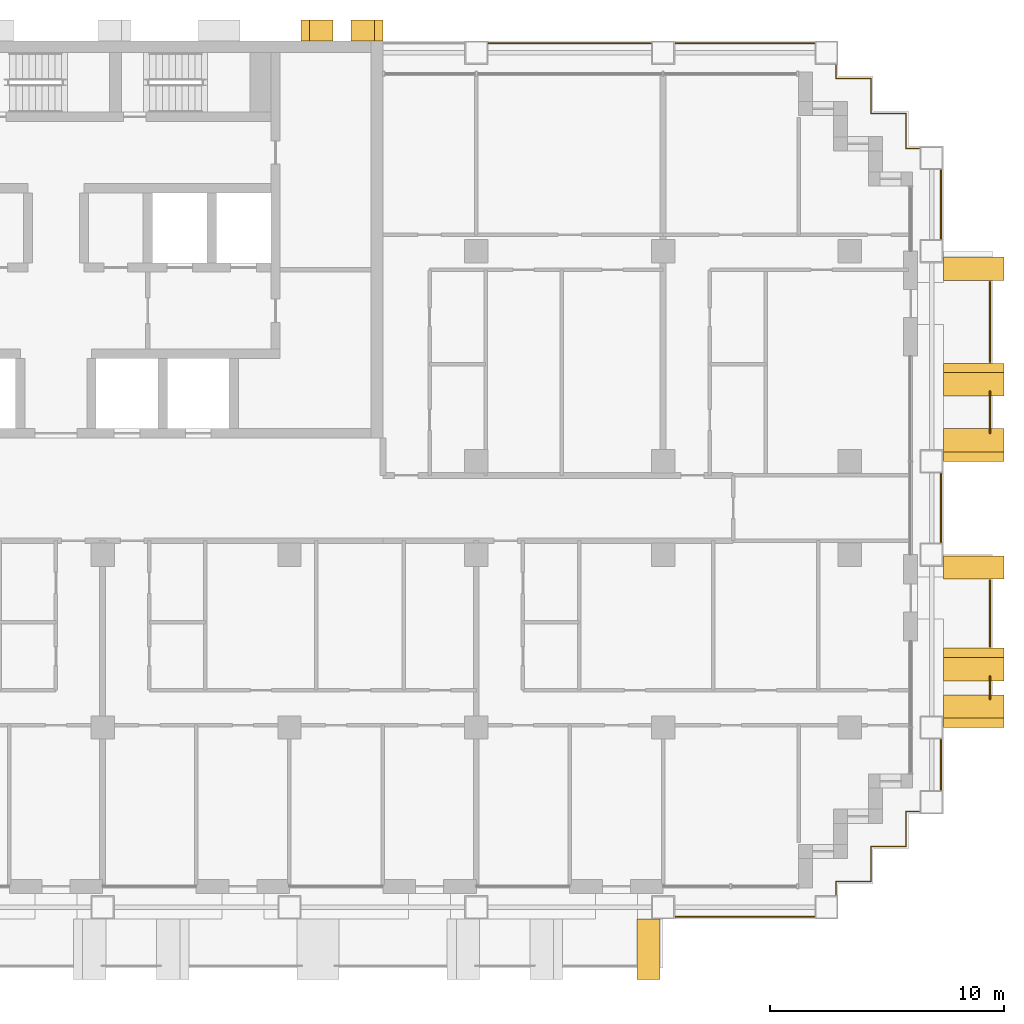
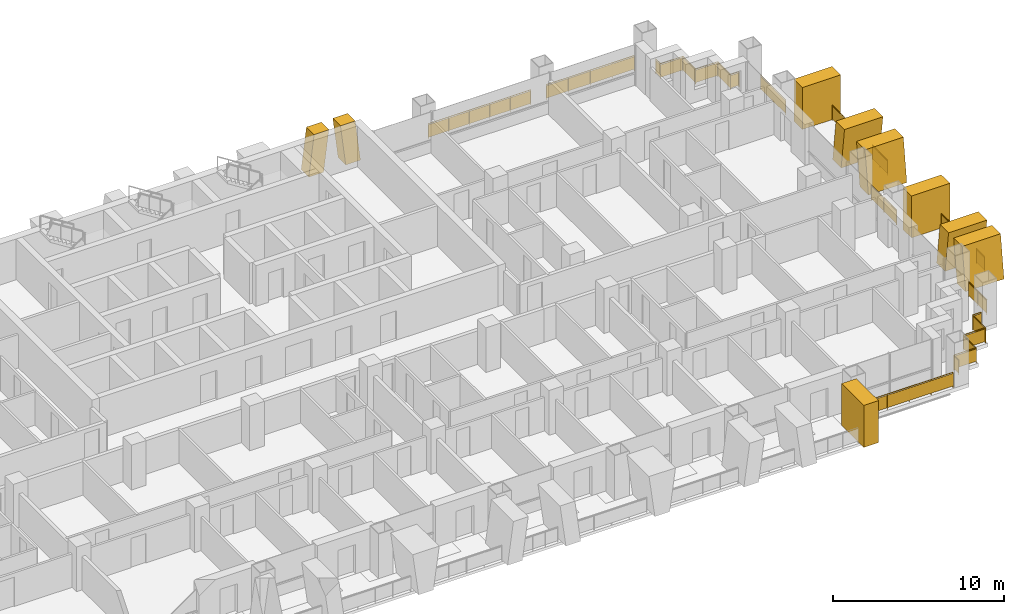
# One storey, part 18 of 18: 12 railings, 9 shading devices.
"""IFC4 building model written with IfcOpenShell, lengths in metres."""

from ifc_helpers import new_model, si_unit, direction, frame, origin, origin_2d, place, context, subcontext, project, spatial, polyline, rectangle, circle, outline, extrude, material, layer, layer_set, type_object, element, save


model = new_model("IFC4")

# Units and contexts
model_context = context("Model", 3, precision=1e-05, world=origin(), true_north=direction((0.0, 1.0)))
body_context = subcontext(model_context, "Body", "Model", "MODEL_VIEW")
ifc_project = project(units=[si_unit("LENGTHUNIT", "METRE"), si_unit("AREAUNIT", "SQUARE_METRE"), si_unit("VOLUMEUNIT", "CUBIC_METRE"), si_unit("PLANEANGLEUNIT", "RADIAN"), si_unit("MASSUNIT", "GRAM", prefix="KILO")], contexts=[model_context])

# Site, building, storey
site_placement = place(None, origin())
site = spatial("IfcSite", under=ifc_project, at=site_placement, CompositionType="ELEMENT")
building_placement = place(site_placement, origin())
building = spatial("IfcBuilding", under=site, at=building_placement, Name="Vidyagriha Tower", CompositionType="ELEMENT")
storey_placement = place(building_placement, frame((0.0, 0.0, 41.60009765625)))
storey = spatial("IfcBuildingStorey", under=building, at=storey_placement, Name="L10", CompositionType="ELEMENT", Elevation=41.60009765625)

# Railings
ifc_material_1 = material(Name="Steel ASTM A500 Grade C black painted", Category="steel")
railing_type_1 = type_object("IfcRailingType", Name="Balcony guard 1100", PredefinedType="BALUSTRADE", material=ifc_material_1)
railing_1_placement = place(storey_placement, frame((40.0, -8.19677734375, 0.0)))
element("IfcRailing", 1, at=railing_1_placement, inside=storey, type_object=railing_type_1, Name="Balcony guard L10 R30.1-1", PredefinedType="BALUSTRADE", context=body_context, shape_type="SweptSolid", body=[
    extrude(circle(Radius=0.02490234375, at=origin_2d()), frame((0.0, 0.0, 1.0751953125), z_axis=(0.0, 1.0, 0.0), x_axis=(-1.0, 0.0, 0.0)), (0.0, 0.0, 1.0), 0.993408203125),
    extrude(circle(Radius=0.02001953125, at=origin_2d()), origin(), (0.0, 0.0, 1.0), 1.050048828125),
    extrude(circle(Radius=0.02001953125, at=origin_2d()), frame((0.0, 0.993408203125, 0.0)), (0.0, 0.0, 1.0), 1.050048828125),
    extrude(rectangle(XDim=0.010009765625, YDim=0.900146484375, at=origin_2d()), frame((0.0, 0.0, 0.550048828125), z_axis=(0.0, 1.0, 0.0), x_axis=(-1.0, 0.0, 0.0)), (0.0, 0.0, 1.0), 0.993408203125),
])
railing_2_placement = place(storey_placement, frame((40.0, -5.949951171875, 0.0)))
element("IfcRailing", 2, at=railing_2_placement, inside=storey, type_object=railing_type_1, Name="Balcony guard L10 R30.1-2", PredefinedType="BALUSTRADE", context=body_context, shape_type="SweptSolid", body=[
    extrude(circle(Radius=0.02490234375, at=origin_2d()), frame((0.0, 0.0, 1.0751953125), z_axis=(0.0, 1.0, 0.0), x_axis=(-1.0, 0.0, 0.0)), (0.0, 0.0, 1.0), 2.849853515625),
    extrude(circle(Radius=0.02001953125, at=origin_2d()), origin(), (0.0, 0.0, 1.0), 1.050048828125),
    extrude(circle(Radius=0.02001953125, at=origin_2d()), frame((0.0, 0.949951171875, 0.0)), (0.0, 0.0, 1.0), 1.050048828125),
    extrude(circle(Radius=0.02001953125, at=origin_2d()), frame((0.0, 1.89990234375, 0.0)), (0.0, 0.0, 1.0), 1.050048828125),
    extrude(circle(Radius=0.02001953125, at=origin_2d()), frame((0.0, 2.849853515625, 0.0)), (0.0, 0.0, 1.0), 1.050048828125),
    extrude(rectangle(XDim=0.010009765625, YDim=0.900146484375, at=origin_2d()), frame((0.0, 0.0, 0.550048828125), z_axis=(0.0, 1.0, 0.0), x_axis=(-1.0, 0.0, 0.0)), (0.0, 0.0, 1.0), 2.849853515625),
])
railing_3_placement = place(storey_placement, frame((40.0, 3.203369140625, 0.0)))
element("IfcRailing", 3, at=railing_3_placement, inside=storey, type_object=railing_type_1, Name="Balcony guard L10 R30.2-1", PredefinedType="BALUSTRADE", context=body_context, shape_type="SweptSolid", body=[
    extrude(circle(Radius=0.02490234375, at=origin_2d()), frame((0.0, 0.0, 1.0751953125), z_axis=(0.0, 1.0, 0.0), x_axis=(-1.0, 0.0, 0.0)), (0.0, 0.0, 1.0), 1.793212890625),
    extrude(circle(Radius=0.02001953125, at=origin_2d()), origin(), (0.0, 0.0, 1.0), 1.050048828125),
    extrude(circle(Radius=0.02001953125, at=origin_2d()), frame((0.0, 0.896484375, 0.0)), (0.0, 0.0, 1.0), 1.050048828125),
    extrude(circle(Radius=0.02001953125, at=origin_2d()), frame((0.0, 1.793212890625, 0.0)), (0.0, 0.0, 1.0), 1.050048828125),
    extrude(rectangle(XDim=0.010009765625, YDim=0.900146484375, at=origin_2d()), frame((0.0, 0.0, 0.550048828125), z_axis=(0.0, 1.0, 0.0), x_axis=(-1.0, 0.0, 0.0)), (0.0, 0.0, 1.0), 1.793212890625),
])
railing_4_placement = place(storey_placement, frame((40.0, 6.25, 0.0)))
element("IfcRailing", 4, at=railing_4_placement, inside=storey, type_object=railing_type_1, Name="Balcony guard L10 R30.2-2", PredefinedType="BALUSTRADE", context=body_context, shape_type="SweptSolid", body=[
    extrude(circle(Radius=0.02490234375, at=origin_2d()), frame((0.0, 0.0, 1.0751953125), z_axis=(0.0, 1.0, 0.0), x_axis=(-1.0, 0.0, 0.0)), (0.0, 0.0, 1.0), 3.449951171875),
    extrude(circle(Radius=0.02001953125, at=origin_2d()), origin(), (0.0, 0.0, 1.0), 1.050048828125),
    extrude(circle(Radius=0.02001953125, at=origin_2d()), frame((0.0, 1.14990234375, 0.0)), (0.0, 0.0, 1.0), 1.050048828125),
    extrude(circle(Radius=0.02001953125, at=origin_2d()), frame((0.0, 2.300048828125, 0.0)), (0.0, 0.0, 1.0), 1.050048828125),
    extrude(circle(Radius=0.02001953125, at=origin_2d()), frame((0.0, 3.449951171875, 0.0)), (0.0, 0.0, 1.0), 1.050048828125),
    extrude(rectangle(XDim=0.010009765625, YDim=0.900146484375, at=origin_2d()), frame((0.0, 0.0, 0.550048828125), z_axis=(0.0, 1.0, 0.0), x_axis=(-1.0, 0.0, 0.0)), (0.0, 0.0, 1.0), 3.449951171875),
])

# Shading devices
ifc_material_2 = material(Name="Precast concrete C40/50 with buff brick facing", Category="concrete")
ifc_layer_1 = layer(ifc_material_2, 1.0)
ifc_layer_set_1 = layer_set([ifc_layer_1], Name="Precast concrete C40/50 with buff brick facing")
shading_device_type_1 = type_object("IfcShadingDeviceType", Name="Brick-faced blade fin arm leaning 8 degrees", PredefinedType="USERDEFINED", material=ifc_layer_set_1)
shading_device_1_placement = place(storey_placement, frame((39.300048828125, -9.39990234375, 0.0), z_axis=(0.0, 0.0, 1.0), x_axis=(0.0, 1.0, 0.0)))
element("IfcShadingDevice", 5, at=shading_device_1_placement, inside=storey, type_object=shading_device_type_1, Name="Leaning blade fin L10 R30.200a", ObjectType="BLADE FIN", PredefinedType="USERDEFINED", context=body_context, shape_type="SweptSolid", body=[
    extrude(outline(polyline([(0.0, 0.0), (1.0, 0.0), (1.39990234375, 3.0), (0.39990234375, 3.0), (0.0, 0.0)])), frame((0.0, 1.300048828125, 0.0), z_axis=(0.0, -1.0, 0.0), x_axis=(1.0, 0.0, 0.0)), (0.0, 0.0, 1.0), 2.60009765625),
])
shading_device_2_placement = place(storey_placement, frame((39.300048828125, -7.39990234375, 0.0), z_axis=(0.0, 0.0, 1.0), x_axis=(0.0, 1.0, 0.0)))
element("IfcShadingDevice", 6, at=shading_device_2_placement, inside=storey, type_object=shading_device_type_1, Name="Leaning blade fin L10 R30.200b", ObjectType="BLADE FIN", PredefinedType="USERDEFINED", context=body_context, shape_type="SweptSolid", body=[
    extrude(outline(polyline([(0.39990234375, 0.0), (1.39990234375, 0.0), (1.0, 3.0), (0.0, 3.0), (0.39990234375, 0.0)])), frame((0.0, 1.300048828125, 0.0), z_axis=(0.0, -1.0, 0.0), x_axis=(1.0, 0.0, 0.0)), (0.0, 0.0, 1.0), 2.60009765625),
])
shading_device_3_placement = place(storey_placement, frame((39.300048828125, 2.0, 0.0), z_axis=(0.0, 0.0, 1.0), x_axis=(0.0, 1.0, 0.0)))
element("IfcShadingDevice", 7, at=shading_device_3_placement, inside=storey, type_object=shading_device_type_1, Name="Leaning blade fin L10 R30.1340a", ObjectType="BLADE FIN", PredefinedType="USERDEFINED", context=body_context, shape_type="SweptSolid", body=[
    extrude(outline(polyline([(0.0, 0.0), (1.0, 0.0), (1.39990234375, 3.0), (0.39990234375, 3.0), (0.0, 0.0)])), frame((0.0, 1.300048828125, 0.0), z_axis=(0.0, -1.0, 0.0), x_axis=(1.0, 0.0, 0.0)), (0.0, 0.0, 1.0), 2.60009765625),
])
shading_device_4_placement = place(storey_placement, frame((39.300048828125, 4.800048828125, 0.0), z_axis=(0.0, 0.0, 1.0), x_axis=(0.0, 1.0, 0.0)))
element("IfcShadingDevice", 8, at=shading_device_4_placement, inside=storey, type_object=shading_device_type_1, Name="Leaning blade fin L10 R30.1340b", ObjectType="BLADE FIN", PredefinedType="USERDEFINED", context=body_context, shape_type="SweptSolid", body=[
    extrude(outline(polyline([(0.39990234375, 0.0), (1.39990234375, 0.0), (1.0, 3.0), (0.0, 3.0), (0.39990234375, 0.0)])), frame((0.0, 1.300048828125, 0.0), z_axis=(0.0, -1.0, 0.0), x_axis=(1.0, 0.0, 0.0)), (0.0, 0.0, 1.0), 2.60009765625),
])
ifc_material_3 = material(Name="Precast concrete C40/50 with buff brick facing", Category="concrete")
ifc_layer_2 = layer(ifc_material_3, 1.0)
ifc_layer_set_2 = layer_set([ifc_layer_2], Name="Precast concrete C40/50 with buff brick facing")
shading_device_type_2 = type_object("IfcShadingDeviceType", Name="Brick-faced blade fin stem 1000", PredefinedType="USERDEFINED", material=ifc_layer_set_2)
shading_device_5_placement = place(storey_placement, frame((24.875, -18.89990234375, 0.0)))
element("IfcShadingDevice", 9, at=shading_device_5_placement, inside=storey, type_object=shading_device_type_2, Name="Stem blade fin L10 R23.5780a", ObjectType="BLADE FIN", PredefinedType="USERDEFINED", context=body_context, shape_type="SweptSolid", body=[
    extrude(outline(polyline([(0.0, 0.0), (1.0, 0.0), (1.0, 3.0), (0.0, 3.0), (0.0, 0.0)])), frame((0.0, 1.300048828125, 0.0), z_axis=(0.0, -1.0, 0.0), x_axis=(1.0, 0.0, 0.0)), (0.0, 0.0, 1.0), 2.60009765625),
])
for number, where, z_axis, x_axis, name in (
    (10, (39.300048828125, -3.050048828125, 0.0), (0.0, 0.0, 1.0), (0.0, 1.0, 0.0), "Stem blade fin L10 R30.940a"),
    (11, (39.300048828125, 9.75, 0.0), (0.0, 0.0, 1.0), (0.0, 1.0, 0.0), "Stem blade fin L10 R30.2240a"),
):
    element("IfcShadingDevice", number, at=place(storey_placement, frame(where, z_axis=z_axis, x_axis=x_axis)), inside=storey, type_object=shading_device_type_2, Name=name, ObjectType="BLADE FIN", PredefinedType="USERDEFINED", context=body_context, shape_type="SweptSolid", body=[
        extrude(outline(polyline([(0.0, 0.0), (1.0, 0.0), (1.0, 3.0), (0.0, 3.0), (0.0, 0.0)])), frame((0.0, 1.300048828125, 0.0), z_axis=(0.0, -1.0, 0.0), x_axis=(1.0, 0.0, 0.0)), (0.0, 0.0, 1.0), 2.60009765625),
    ])
ifc_material_4 = material(Name="Precast concrete C40/50 with brick facing", Category="concrete")
ifc_layer_3 = layer(ifc_material_4, 1.0)
ifc_layer_set_3 = layer_set([ifc_layer_3], Name="Precast concrete C40/50 with brick facing")
shading_device_type_3 = type_object("IfcShadingDeviceType", Name="Brick-faced rear rib arm leaning 8 degrees", PredefinedType="USERDEFINED", material=ifc_layer_set_3)
shading_device_6_placement = place(storey_placement, frame((14.0, 20.449951171875, 0.0), z_axis=(0.0, 0.0, 1.0), x_axis=(-1.0, 0.0, 0.0)))
element("IfcShadingDevice", 12, at=shading_device_6_placement, inside=storey, type_object=shading_device_type_3, Name="Rear rib arm L10 R08.1a", ObjectType="BLADE FIN", PredefinedType="USERDEFINED", context=body_context, shape_type="SweptSolid", body=[
    extrude(outline(polyline([(0.0, 0.0), (1.0, 0.0), (1.357177734375, 2.919921875), (0.357177734375, 2.919921875), (0.0, 0.0)])), frame((0.0, 0.449951171875, 0.0), z_axis=(0.0, -1.0, 0.0), x_axis=(1.0, 0.0, 0.0)), (0.0, 0.0, 1.0), 0.89990234375),
])
shading_device_7_placement = place(storey_placement, frame((11.857177734375, 20.449951171875, 0.0), z_axis=(0.0, 0.0, 1.0), x_axis=(-1.0, 0.0, 0.0)))
element("IfcShadingDevice", 13, at=shading_device_7_placement, inside=storey, type_object=shading_device_type_3, Name="Rear rib arm L10 R08.1b", ObjectType="BLADE FIN", PredefinedType="USERDEFINED", context=body_context, shape_type="SweptSolid", body=[
    extrude(outline(polyline([(0.357177734375, 0.0), (1.357177734375, 0.0), (1.0, 2.919921875), (0.0, 2.919921875), (0.357177734375, 0.0)])), frame((0.0, 0.449951171875, 0.0), z_axis=(0.0, -1.0, 0.0), x_axis=(1.0, 0.0, 0.0)), (0.0, 0.0, 1.0), 0.89990234375),
])

# Railings
ifc_material_5 = material(Name="Steel ASTM A500 Grade C black painted", Category="steel")
railing_type_2 = type_object("IfcRailingType", Name="Gallery guard 1100", PredefinedType="GUARDRAIL", material=ifc_material_5)
railing_5_placement = place(storey_placement, frame((18.530029296875, 19.89990234375, 0.0)))
element("IfcRailing", 14, at=railing_5_placement, inside=storey, type_object=railing_type_2, Name="Gallery guard L10 11", PredefinedType="GUARDRAIL", context=body_context, shape_type="SweptSolid", body=[
    extrude(circle(Radius=0.02490234375, at=origin_2d()), frame((0.0, 0.0, 1.0751953125), z_axis=(1.0, 0.0, 0.0), x_axis=(0.0, 1.0, 0.0)), (0.0, 0.0, 1.0), 6.93994140625),
    extrude(circle(Radius=0.02001953125, at=origin_2d()), origin(), (0.0, 0.0, 1.0), 1.050048828125),
    extrude(circle(Radius=0.02001953125, at=origin_2d()), frame((1.387939453125, 0.0, 0.0)), (0.0, 0.0, 1.0), 1.050048828125),
    extrude(circle(Radius=0.02001953125, at=origin_2d()), frame((2.77587890625, 0.0, 0.0)), (0.0, 0.0, 1.0), 1.050048828125),
    extrude(circle(Radius=0.02001953125, at=origin_2d()), frame((4.1640625, 0.0, 0.0)), (0.0, 0.0, 1.0), 1.050048828125),
    extrude(circle(Radius=0.02001953125, at=origin_2d()), frame((5.552001953125, 0.0, 0.0)), (0.0, 0.0, 1.0), 1.050048828125),
    extrude(circle(Radius=0.02001953125, at=origin_2d()), frame((6.93994140625, 0.0, 0.0)), (0.0, 0.0, 1.0), 1.050048828125),
    extrude(rectangle(XDim=0.010009765625, YDim=0.900146484375, at=origin_2d()), frame((0.0, 0.0, 0.550048828125), z_axis=(1.0, 0.0, 0.0), x_axis=(0.0, 1.0, 0.0)), (0.0, 0.0, 1.0), 6.93994140625),
])
railing_6_placement = place(storey_placement, frame((32.469970703125, -17.5, 0.0)))
element("IfcRailing", 15, at=railing_6_placement, inside=storey, type_object=railing_type_2, Name="Gallery guard L10 12", PredefinedType="GUARDRAIL", context=body_context, shape_type="SweptSolid", body=[
    extrude(circle(Radius=0.02490234375, at=origin_2d()), frame((0.0, 0.0, 1.0751953125), z_axis=(-1.0, 0.0, 0.0), x_axis=(0.0, -1.0, 0.0)), (0.0, 0.0, 1.0), 5.93994140625),
    extrude(circle(Radius=0.02001953125, at=origin_2d()), origin(), (0.0, 0.0, 1.0), 1.050048828125),
    extrude(circle(Radius=0.02001953125, at=origin_2d()), frame((-1.48486328125, 0.0, 0.0)), (0.0, 0.0, 1.0), 1.050048828125),
    extrude(circle(Radius=0.02001953125, at=origin_2d()), frame((-2.969970703125, 0.0, 0.0)), (0.0, 0.0, 1.0), 1.050048828125),
    extrude(circle(Radius=0.02001953125, at=origin_2d()), frame((-4.455078125, 0.0, 0.0)), (0.0, 0.0, 1.0), 1.050048828125),
    extrude(circle(Radius=0.02001953125, at=origin_2d()), frame((-5.93994140625, 0.0, 0.0)), (0.0, 0.0, 1.0), 1.050048828125),
    extrude(rectangle(XDim=0.010009765625, YDim=0.900146484375, at=origin_2d()), frame((0.0, 0.0, 0.550048828125), z_axis=(-1.0, 0.0, 0.0), x_axis=(0.0, -1.0, 0.0)), (0.0, 0.0, 1.0), 5.93994140625),
])
railing_7_placement = place(storey_placement, frame((26.530029296875, 19.89990234375, 0.0)))
element("IfcRailing", 16, at=railing_7_placement, inside=storey, type_object=railing_type_2, Name="Gallery guard L10 13", PredefinedType="GUARDRAIL", context=body_context, shape_type="SweptSolid", body=[
    extrude(circle(Radius=0.02490234375, at=origin_2d()), frame((0.0, 0.0, 1.0751953125), z_axis=(1.0, 0.0, 0.0), x_axis=(0.0, 1.0, 0.0)), (0.0, 0.0, 1.0), 5.93994140625),
    extrude(circle(Radius=0.02001953125, at=origin_2d()), origin(), (0.0, 0.0, 1.0), 1.050048828125),
    extrude(circle(Radius=0.02001953125, at=origin_2d()), frame((1.48486328125, 0.0, 0.0)), (0.0, 0.0, 1.0), 1.050048828125),
    extrude(circle(Radius=0.02001953125, at=origin_2d()), frame((2.969970703125, 0.0, 0.0)), (0.0, 0.0, 1.0), 1.050048828125),
    extrude(circle(Radius=0.02001953125, at=origin_2d()), frame((4.455078125, 0.0, 0.0)), (0.0, 0.0, 1.0), 1.050048828125),
    extrude(circle(Radius=0.02001953125, at=origin_2d()), frame((5.93994140625, 0.0, 0.0)), (0.0, 0.0, 1.0), 1.050048828125),
    extrude(rectangle(XDim=0.010009765625, YDim=0.900146484375, at=origin_2d()), frame((0.0, 0.0, 0.550048828125), z_axis=(1.0, 0.0, 0.0), x_axis=(0.0, 1.0, 0.0)), (0.0, 0.0, 1.0), 5.93994140625),
])
railing_8_placement = place(storey_placement, frame((36.969970703125, -13.0, 0.0)))
element("IfcRailing", 17, at=railing_8_placement, inside=storey, type_object=railing_type_2, Name="Gallery guard L10 14", PredefinedType="GUARDRAIL", context=body_context, shape_type="SweptSolid", body=[
    extrude(circle(Radius=0.02490234375, at=origin_2d()), frame((0.0, 0.0, 1.0751953125), z_axis=(-1.0, 0.0, 0.0), x_axis=(0.0, -1.0, 0.0)), (0.0, 0.0, 1.0), 0.570068359375),
    extrude(circle(Radius=0.02490234375, at=origin_2d()), frame((-0.570068359375, 0.0, 1.0751953125), z_axis=(0.0, -1.0, 0.0), x_axis=(1.0, 0.0, 0.0)), (0.0, 0.0, 1.0), 1.5),
    extrude(circle(Radius=0.02490234375, at=origin_2d()), frame((-0.570068359375, -1.5, 1.0751953125), z_axis=(-1.0, 0.0, 0.0), x_axis=(0.0, -1.0, 0.0)), (0.0, 0.0, 1.0), 1.5),
    extrude(circle(Radius=0.02490234375, at=origin_2d()), frame((-2.070068359375, -1.5, 1.0751953125), z_axis=(0.0, -1.0, 0.0), x_axis=(1.0, 0.0, 0.0)), (0.0, 0.0, 1.0), 1.5),
    extrude(circle(Radius=0.02490234375, at=origin_2d()), frame((-2.070068359375, -3.0, 1.0751953125), z_axis=(-1.0, 0.0, 0.0), x_axis=(0.0, -1.0, 0.0)), (0.0, 0.0, 1.0), 1.5),
    extrude(circle(Radius=0.02490234375, at=origin_2d()), frame((-3.570068359375, -3.0, 1.0751953125), z_axis=(0.0, -1.0, 0.0), x_axis=(1.0, 0.0, 0.0)), (0.0, 0.0, 1.0), 0.570068359375),
    extrude(circle(Radius=0.02001953125, at=origin_2d()), origin(), (0.0, 0.0, 1.0), 1.050048828125),
    extrude(circle(Radius=0.02001953125, at=origin_2d()), frame((-0.570068359375, 0.0, 0.0)), (0.0, 0.0, 1.0), 1.050048828125),
    extrude(circle(Radius=0.02001953125, at=origin_2d()), frame((-0.570068359375, -1.5, 0.0)), (0.0, 0.0, 1.0), 1.050048828125),
    extrude(circle(Radius=0.02001953125, at=origin_2d()), frame((-2.070068359375, -1.5, 0.0)), (0.0, 0.0, 1.0), 1.050048828125),
    extrude(circle(Radius=0.02001953125, at=origin_2d()), frame((-2.070068359375, -3.0, 0.0)), (0.0, 0.0, 1.0), 1.050048828125),
    extrude(circle(Radius=0.02001953125, at=origin_2d()), frame((-3.570068359375, -3.0, 0.0)), (0.0, 0.0, 1.0), 1.050048828125),
    extrude(circle(Radius=0.02001953125, at=origin_2d()), frame((-3.570068359375, -3.570068359375, 0.0)), (0.0, 0.0, 1.0), 1.050048828125),
    extrude(rectangle(XDim=0.010009765625, YDim=0.900146484375, at=origin_2d()), frame((0.0, 0.0, 0.550048828125), z_axis=(-1.0, 0.0, 0.0), x_axis=(0.0, -1.0, 0.0)), (0.0, 0.0, 1.0), 0.570068359375),
    extrude(rectangle(XDim=0.010009765625, YDim=0.900146484375, at=origin_2d()), frame((-0.570068359375, 0.0, 0.550048828125), z_axis=(0.0, -1.0, 0.0), x_axis=(1.0, 0.0, 0.0)), (0.0, 0.0, 1.0), 1.5),
    extrude(rectangle(XDim=0.010009765625, YDim=0.900146484375, at=origin_2d()), frame((-0.570068359375, -1.5, 0.550048828125), z_axis=(-1.0, 0.0, 0.0), x_axis=(0.0, -1.0, 0.0)), (0.0, 0.0, 1.0), 1.5),
    extrude(rectangle(XDim=0.010009765625, YDim=0.900146484375, at=origin_2d()), frame((-2.070068359375, -1.5, 0.550048828125), z_axis=(0.0, -1.0, 0.0), x_axis=(1.0, 0.0, 0.0)), (0.0, 0.0, 1.0), 1.5),
    extrude(rectangle(XDim=0.010009765625, YDim=0.900146484375, at=origin_2d()), frame((-2.070068359375, -3.0, 0.550048828125), z_axis=(-1.0, 0.0, 0.0), x_axis=(0.0, -1.0, 0.0)), (0.0, 0.0, 1.0), 1.5),
    extrude(rectangle(XDim=0.010009765625, YDim=0.900146484375, at=origin_2d()), frame((-3.570068359375, -3.0, 0.550048828125), z_axis=(0.0, -1.0, 0.0), x_axis=(1.0, 0.0, 0.0)), (0.0, 0.0, 1.0), 0.570068359375),
])
railing_9_placement = place(storey_placement, frame((33.39990234375, 18.969970703125, 0.0)))
element("IfcRailing", 18, at=railing_9_placement, inside=storey, type_object=railing_type_2, Name="Gallery guard L10 15", PredefinedType="GUARDRAIL", context=body_context, shape_type="SweptSolid", body=[
    extrude(circle(Radius=0.02490234375, at=origin_2d()), frame((0.0, 0.0, 1.0751953125), z_axis=(0.0, -1.0, 0.0), x_axis=(1.0, 0.0, 0.0)), (0.0, 0.0, 1.0), 0.570068359375),
    extrude(circle(Radius=0.02490234375, at=origin_2d()), frame((0.0, -0.570068359375, 1.0751953125), z_axis=(1.0, 0.0, 0.0), x_axis=(0.0, 1.0, 0.0)), (0.0, 0.0, 1.0), 1.5),
    extrude(circle(Radius=0.02490234375, at=origin_2d()), frame((1.5, -0.570068359375, 1.0751953125), z_axis=(0.0, -1.0, 0.0), x_axis=(1.0, 0.0, 0.0)), (0.0, 0.0, 1.0), 1.5),
    extrude(circle(Radius=0.02490234375, at=origin_2d()), frame((1.5, -2.070068359375, 1.0751953125), z_axis=(1.0, 0.0, 0.0), x_axis=(0.0, 1.0, 0.0)), (0.0, 0.0, 1.0), 1.5),
    extrude(circle(Radius=0.02490234375, at=origin_2d()), frame((3.0, -2.070068359375, 1.0751953125), z_axis=(0.0, -1.0, 0.0), x_axis=(1.0, 0.0, 0.0)), (0.0, 0.0, 1.0), 1.5),
    extrude(circle(Radius=0.02490234375, at=origin_2d()), frame((3.0, -3.570068359375, 1.0751953125), z_axis=(1.0, 0.0, 0.0), x_axis=(0.0, 1.0, 0.0)), (0.0, 0.0, 1.0), 0.570068359375),
    extrude(circle(Radius=0.02001953125, at=origin_2d()), origin(), (0.0, 0.0, 1.0), 1.050048828125),
    extrude(circle(Radius=0.02001953125, at=origin_2d()), frame((0.0, -0.570068359375, 0.0)), (0.0, 0.0, 1.0), 1.050048828125),
    extrude(circle(Radius=0.02001953125, at=origin_2d()), frame((1.5, -0.570068359375, 0.0)), (0.0, 0.0, 1.0), 1.050048828125),
    extrude(circle(Radius=0.02001953125, at=origin_2d()), frame((1.5, -2.070068359375, 0.0)), (0.0, 0.0, 1.0), 1.050048828125),
    extrude(circle(Radius=0.02001953125, at=origin_2d()), frame((3.0, -2.070068359375, 0.0)), (0.0, 0.0, 1.0), 1.050048828125),
    extrude(circle(Radius=0.02001953125, at=origin_2d()), frame((3.0, -3.570068359375, 0.0)), (0.0, 0.0, 1.0), 1.050048828125),
    extrude(circle(Radius=0.02001953125, at=origin_2d()), frame((3.570068359375, -3.570068359375, 0.0)), (0.0, 0.0, 1.0), 1.050048828125),
    extrude(rectangle(XDim=0.010009765625, YDim=0.900146484375, at=origin_2d()), frame((0.0, 0.0, 0.550048828125), z_axis=(0.0, -1.0, 0.0), x_axis=(1.0, 0.0, 0.0)), (0.0, 0.0, 1.0), 0.570068359375),
    extrude(rectangle(XDim=0.010009765625, YDim=0.900146484375, at=origin_2d()), frame((0.0, -0.570068359375, 0.550048828125), z_axis=(1.0, 0.0, 0.0), x_axis=(0.0, 1.0, 0.0)), (0.0, 0.0, 1.0), 1.5),
    extrude(rectangle(XDim=0.010009765625, YDim=0.900146484375, at=origin_2d()), frame((1.5, -0.570068359375, 0.550048828125), z_axis=(0.0, -1.0, 0.0), x_axis=(1.0, 0.0, 0.0)), (0.0, 0.0, 1.0), 1.5),
    extrude(rectangle(XDim=0.010009765625, YDim=0.900146484375, at=origin_2d()), frame((1.5, -2.070068359375, 0.550048828125), z_axis=(1.0, 0.0, 0.0), x_axis=(0.0, 1.0, 0.0)), (0.0, 0.0, 1.0), 1.5),
    extrude(rectangle(XDim=0.010009765625, YDim=0.900146484375, at=origin_2d()), frame((3.0, -2.070068359375, 0.550048828125), z_axis=(0.0, -1.0, 0.0), x_axis=(1.0, 0.0, 0.0)), (0.0, 0.0, 1.0), 1.5),
    extrude(rectangle(XDim=0.010009765625, YDim=0.900146484375, at=origin_2d()), frame((3.0, -3.570068359375, 0.550048828125), z_axis=(1.0, 0.0, 0.0), x_axis=(0.0, 1.0, 0.0)), (0.0, 0.0, 1.0), 0.570068359375),
])
railing_10_placement = place(storey_placement, frame((37.89990234375, -9.929931640625, 0.0)))
element("IfcRailing", 19, at=railing_10_placement, inside=storey, type_object=railing_type_2, Name="Gallery guard L10 16", PredefinedType="GUARDRAIL", context=body_context, shape_type="SweptSolid", body=[
    extrude(circle(Radius=0.02490234375, at=origin_2d()), frame((0.0, 0.0, 1.0751953125), z_axis=(0.0, -1.0, 0.0), x_axis=(1.0, 0.0, 0.0)), (0.0, 0.0, 1.0), 2.14013671875),
    extrude(circle(Radius=0.02001953125, at=origin_2d()), origin(), (0.0, 0.0, 1.0), 1.050048828125),
    extrude(circle(Radius=0.02001953125, at=origin_2d()), frame((0.0, -1.070068359375, 0.0)), (0.0, 0.0, 1.0), 1.050048828125),
    extrude(circle(Radius=0.02001953125, at=origin_2d()), frame((0.0, -2.14013671875, 0.0)), (0.0, 0.0, 1.0), 1.050048828125),
    extrude(rectangle(XDim=0.010009765625, YDim=0.900146484375, at=origin_2d()), frame((0.0, 0.0, 0.550048828125), z_axis=(0.0, -1.0, 0.0), x_axis=(1.0, 0.0, 0.0)), (0.0, 0.0, 1.0), 2.14013671875),
])
for number, where, name in (
    (20, (37.89990234375, 1.469970703125, 0.0), "Gallery guard L10 17"),
    (21, (37.89990234375, 14.469970703125, 0.0), "Gallery guard L10 18"),
):
    element("IfcRailing", number, at=place(storey_placement, frame(where)), inside=storey, type_object=railing_type_2, Name=name, PredefinedType="GUARDRAIL", context=body_context, shape_type="SweptSolid", body=[
        extrude(circle(Radius=0.02490234375, at=origin_2d()), frame((0.0, 0.0, 1.0751953125), z_axis=(0.0, -1.0, 0.0), x_axis=(1.0, 0.0, 0.0)), (0.0, 0.0, 1.0), 2.93994140625),
        extrude(circle(Radius=0.02001953125, at=origin_2d()), origin(), (0.0, 0.0, 1.0), 1.050048828125),
        extrude(circle(Radius=0.02001953125, at=origin_2d()), frame((0.0, -1.469970703125, 0.0)), (0.0, 0.0, 1.0), 1.050048828125),
        extrude(circle(Radius=0.02001953125, at=origin_2d()), frame((0.0, -2.93994140625, 0.0)), (0.0, 0.0, 1.0), 1.050048828125),
        extrude(rectangle(XDim=0.010009765625, YDim=0.900146484375, at=origin_2d()), frame((0.0, 0.0, 0.550048828125), z_axis=(0.0, -1.0, 0.0), x_axis=(1.0, 0.0, 0.0)), (0.0, 0.0, 1.0), 2.93994140625),
    ])

save(model, "model.ifc")
